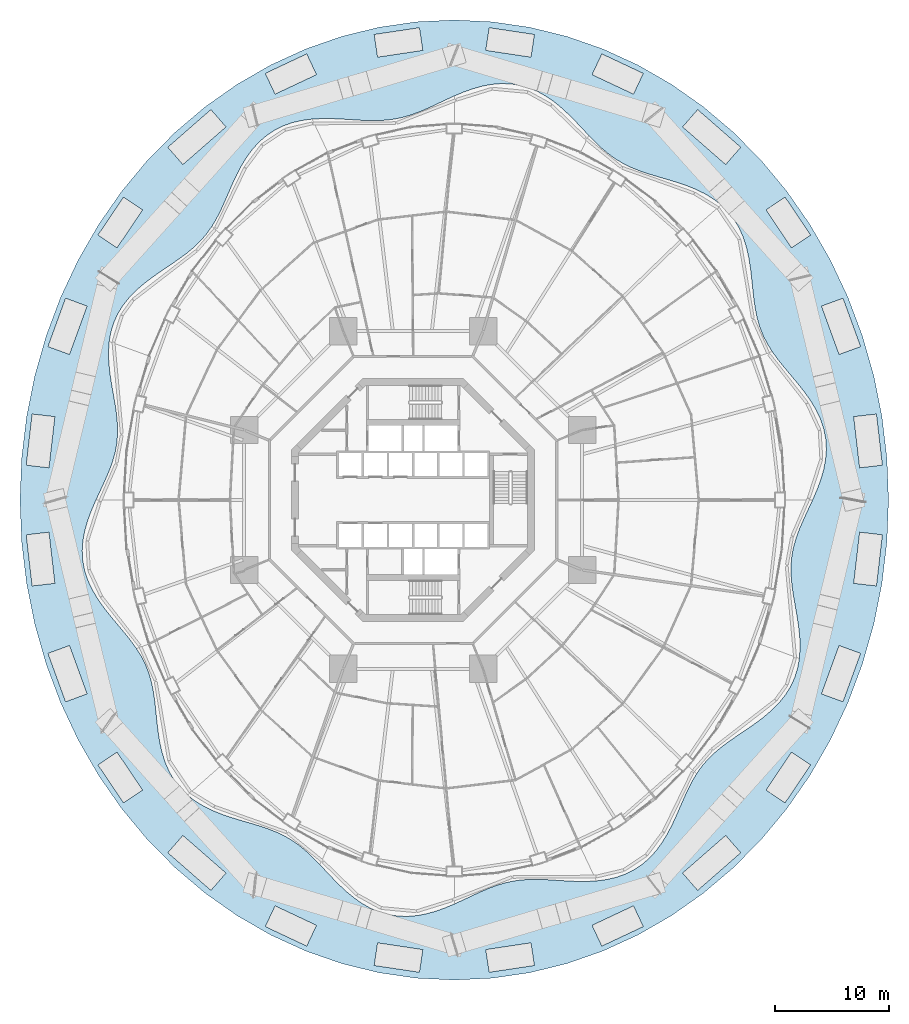
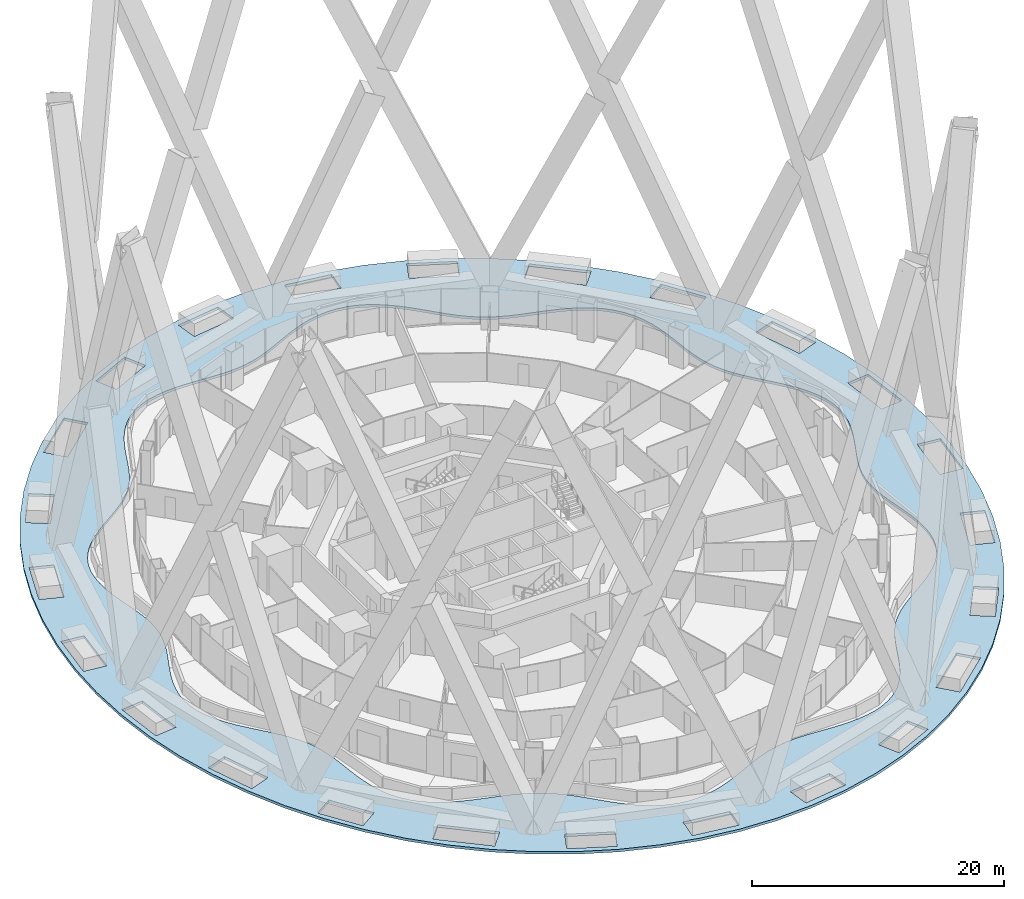
# One storey, part 32 of 42: 1 slab, 24 openings.
"""IFC4 building model written with IfcOpenShell, lengths in metres."""

from ifc_helpers import new_model, si_unit, direction, frame, origin, origin_2d, place, context, subcontext, project, spatial, polyline, rectangle, outline, extrude, material, layer, layer_set, type_object, element, save


model = new_model("IFC4")

# Units and contexts
model_context = context("Model", 3, precision=1e-05, world=origin(), true_north=direction((0.0, 1.0)))
body_context = subcontext(model_context, "Body", "Model", "MODEL_VIEW")
ifc_project = project(units=[si_unit("LENGTHUNIT", "METRE"), si_unit("AREAUNIT", "SQUARE_METRE"), si_unit("VOLUMEUNIT", "CUBIC_METRE"), si_unit("PLANEANGLEUNIT", "RADIAN"), si_unit("MASSUNIT", "GRAM", prefix="KILO")], contexts=[model_context])

# Site, building, storey
site_placement = place(None, origin())
site = spatial("IfcSite", under=ifc_project, at=site_placement, CompositionType="ELEMENT")
building_placement = place(site_placement, origin())
building = spatial("IfcBuilding", under=site, at=building_placement, Name="Nagisa Residences", CompositionType="ELEMENT")
storey_placement = place(building_placement, frame((0.0, 0.0, 27.0)))
storey = spatial("IfcBuildingStorey", under=building, at=storey_placement, Name="L05", CompositionType="ELEMENT", Elevation=27.0)

# Slab, openings
ifc_material = material(Name="Concrete C40/50", Category="concrete")
ifc_layer = layer(ifc_material, 0.25)
ifc_layer_set = layer_set([ifc_layer], Name="ATRIUM RING ROOF 250")
slab_type = type_object("IfcSlabType", Name="ATRIUM RING ROOF 250", PredefinedType="ROOF", material=ifc_layer_set)
slab_placement = place(storey_placement, frame((0.0, 0.0, -0.25)))
slab = element("IfcSlab", 1, at=slab_placement, inside=storey, type_object=slab_type, Name="slab:L05:ringroof", PredefinedType="ROOF", context=body_context, shape_type="SweptSolid", body=[
    extrude(outline(polyline([(41.455322265625, -3.66064453125), (41.022705078125, -7.293212890625), (40.30517578125, -10.870361328125), (39.308349609375, -14.36474609375), (38.039794921875, -17.75), (36.509033203125, -21.0), (34.727783203125, -24.09033203125), (32.709716796875, -26.9970703125), (30.469970703125, -29.698486328125), (28.02587890625, -32.173828125), (25.39599609375, -34.404296875), (22.60009765625, -36.373046875), (19.659423828125, -38.06494140625), (16.5966796875, -39.467041015625), (13.43505859375, -40.56884765625), (10.19873046875, -41.36181640625), (6.911865234375, -41.840087890625), (3.60009765625, -42.0), (0.2880859375, -41.840087890625), (-2.99853515625, -41.36181640625), (-6.235107421875, -40.56884765625), (-9.396728515625, -39.467041015625), (-12.45947265625, -38.06494140625), (-15.39990234375, -36.373046875), (-18.19580078125, -34.404296875), (-20.825927734375, -32.173828125), (-23.27001953125, -29.698486328125), (-25.509765625, -26.9970703125), (-27.52783203125, -24.09033203125), (-29.30908203125, -21.0), (-30.839599609375, -17.75), (-32.1083984375, -14.36474609375), (-33.105224609375, -10.870361328125), (-33.82275390625, -7.293212890625), (-34.25537109375, -3.66064453125), (-34.39990234375, 0.0), (-34.25537109375, 3.66064453125), (-33.82275390625, 7.293212890625), (-33.105224609375, 10.870361328125), (-32.1083984375, 14.36474609375), (-30.839599609375, 17.75), (-29.30908203125, 21.0), (-27.52783203125, 24.09033203125), (-25.509765625, 26.9970703125), (-23.27001953125, 29.698486328125), (-20.825927734375, 32.173828125), (-18.19580078125, 34.404296875), (-15.39990234375, 36.373046875), (-12.45947265625, 38.06494140625), (-9.396728515625, 39.467041015625), (-6.235107421875, 40.56884765625), (-2.99853515625, 41.36181640625), (0.2880859375, 41.840087890625), (3.60009765625, 42.0), (6.911865234375, 41.840087890625), (10.19873046875, 41.36181640625), (13.43505859375, 40.56884765625), (16.5966796875, 39.467041015625), (19.659423828125, 38.06494140625), (22.60009765625, 36.373046875), (25.39599609375, 34.404296875), (28.02587890625, 32.173828125), (30.469970703125, 29.698486328125), (32.709716796875, 26.9970703125), (34.727783203125, 24.09033203125), (36.509033203125, 21.0), (38.039794921875, 17.75), (39.308349609375, 14.36474609375), (40.30517578125, 10.870361328125), (41.022705078125, 7.293212890625), (41.455322265625, 3.66064453125), (41.60009765625, 0.0), (41.455322265625, -3.66064453125)]), holes=[polyline([(3.60009765625, -35.35009765625), (4.373291015625, -34.99560546875), (5.127685546875, -34.638427734375), (5.865478515625, -34.2958984375), (6.591064453125, -33.984375), (7.309814453125, -33.716552734375), (8.028076171875, -33.50146484375), (8.75244140625, -33.34375), (9.489013671875, -33.243896484375), (10.2431640625, -33.197509765625), (11.018310546875, -33.1962890625), (11.81591796875, -33.228515625), (12.635498046875, -33.279541015625), (13.4736328125, -33.332275390625), (14.3251953125, -33.36962890625), (15.1826171875, -33.373779296875), (16.036865234375, -33.32861328125), (16.908447265625, -33.21484375), (17.75390625, -33.020263671875), (18.5615234375, -32.736328125), (19.32080078125, -32.359619140625), (20.024169921875, -31.890380859375), (20.666015625, -31.334228515625), (21.244384765625, -30.7001953125), (21.760498046875, -30.001220703125), (22.219482421875, -29.251953125), (22.6298828125, -28.4697265625), (23.002685546875, -27.67138671875), (23.351318359375, -26.87353515625), (23.69091796875, -26.091064453125), (24.03662109375, -25.336669921875), (24.40283203125, -24.619873046875), (24.802490234375, -23.946533203125), (25.26904296875, -23.28955078125), (25.79150390625, -22.68115234375), (26.373291015625, -22.1162109375), (27.012451171875, -21.5849609375), (27.701416015625, -21.076416015625), (28.4287109375, -20.576904296875), (29.177978515625, -20.072509765625), (29.929931640625, -19.55029296875), (30.6640625, -18.998291015625), (31.35888671875, -18.40673828125), (31.993896484375, -17.768798828125), (32.551025390625, -17.080810546875), (33.0166015625, -16.342529296875), (33.380615234375, -15.556884765625), (33.639404296875, -14.729248046875), (33.794921875, -13.866943359375), (33.854736328125, -12.951171875), (33.826904296875, -12.019287109375), (33.73046875, -11.082275390625), (33.588623046875, -10.149658203125), (33.427001953125, -9.2294921875), (33.27099609375, -8.32763671875), (33.144775390625, -7.447265625), (33.069580078125, -6.588623046875), (33.06201171875, -5.750244140625), (33.13232421875, -4.927978515625), (33.28466796875, -4.115966796875), (33.515869140625, -3.30810546875), (33.816162109375, -2.497802734375), (34.169921875, -1.678955078125), (34.555908203125, -0.847412109375), (34.949951171875, 0.0), (34.949951171875, 0.0), (35.32568359375, 0.864013671875), (35.65673828125, 1.742919921875), (35.918701171875, 2.63330078125), (36.090576171875, 3.52978515625), (36.15673828125, 4.425537109375), (36.10693359375, 5.313720703125), (35.938720703125, 6.18701171875), (35.65576171875, 7.038818359375), (35.2685546875, 7.864501953125), (34.793701171875, 8.66162109375), (34.252197265625, 9.429443359375), (33.668212890625, 10.170654296875), (33.06787109375, 10.89013671875), (32.475830078125, 11.594970703125), (31.915771484375, 12.294189453125), (31.40673828125, 12.997802734375), (30.975830078125, 13.69287109375), (30.614013671875, 14.40966796875), (30.3232421875, 15.155029296875), (30.099365234375, 15.93359375), (29.933349609375, 16.7470703125), (29.810791015625, 17.5947265625), (29.7138671875, 18.471923828125), (29.622314453125, 19.37060546875), (29.51513671875, 20.2802734375), (29.37109375, 21.1884765625), (29.171630859375, 22.08056640625), (28.900634765625, 22.942138671875), (28.546142578125, 23.758544921875), (28.1015625, 24.517578125), (27.565185546875, 25.20849609375), (26.940185546875, 25.824951171875), (26.26953125, 26.3408203125), (25.53662109375, 26.787841796875), (24.75439453125, 27.171142578125), (23.93798828125, 27.499267578125), (23.102783203125, 27.78369140625), (22.264404296875, 28.038818359375), (21.4365234375, 28.27978515625), (20.630859375, 28.52294921875), (19.8564453125, 28.7841796875), (19.119140625, 29.077392578125), (18.420654296875, 29.414306640625), (17.759765625, 29.803466796875), (17.131591796875, 30.2490234375), (16.529296875, 30.750732421875), (15.943115234375, 31.3037109375), (15.36279296875, 31.898681640625), (14.798583984375, 32.49951171875), (14.22021484375, 33.11181640625), (13.619384765625, 33.71875), (12.98974609375, 34.30224609375), (12.32666015625, 34.84423828125), (11.62841796875, 35.326904296875), (10.89501953125, 35.7353515625), (10.12939453125, 36.05712890625), (9.336181640625, 36.283203125), (8.52197265625, 36.408935546875), (7.69384765625, 36.434326171875), (6.859619140625, 36.36376953125), (6.027099609375, 36.2060546875), (5.202880859375, 35.9736328125), (4.392578125, 35.682373046875), (3.60009765625, 35.35009765625), (2.82666015625, 34.99560546875), (2.072265625, 34.638427734375), (1.33447265625, 34.2958984375), (0.60888671875, 33.984375), (-0.10986328125, 33.716552734375), (-0.828125, 33.50146484375), (-1.552490234375, 33.34375), (-2.2890625, 33.243896484375), (-3.043212890625, 33.197509765625), (-3.818359375, 33.1962890625), (-4.615966796875, 33.228515625), (-5.435302734375, 33.279541015625), (-6.273681640625, 33.332275390625), (-7.125244140625, 33.36962890625), (-7.982666015625, 33.373779296875), (-8.836669921875, 33.32861328125), (-9.70849609375, 33.21484375), (-10.553955078125, 33.020263671875), (-11.361328125, 32.736328125), (-12.120849609375, 32.359619140625), (-12.82421875, 31.890380859375), (-13.466064453125, 31.334228515625), (-14.04443359375, 30.7001953125), (-14.560546875, 30.001220703125), (-15.01953125, 29.251953125), (-15.4296875, 28.4697265625), (-15.802490234375, 27.67138671875), (-16.1513671875, 26.87353515625), (-16.490966796875, 26.091064453125), (-16.836669921875, 25.336669921875), (-17.202880859375, 24.619873046875), (-17.6025390625, 23.946533203125), (-18.069091796875, 23.28955078125), (-18.591552734375, 22.68115234375), (-19.17333984375, 22.1162109375), (-19.812255859375, 21.5849609375), (-20.50146484375, 21.076416015625), (-21.228515625, 20.576904296875), (-21.977783203125, 20.072509765625), (-22.72998046875, 19.55029296875), (-23.464111328125, 18.998291015625), (-24.158935546875, 18.40673828125), (-24.7939453125, 17.768798828125), (-25.35107421875, 17.080810546875), (-25.816650390625, 16.342529296875), (-26.1806640625, 15.556884765625), (-26.439453125, 14.729248046875), (-26.5947265625, 13.866943359375), (-26.65478515625, 12.951171875), (-26.626708984375, 12.019287109375), (-26.530517578125, 11.082275390625), (-26.388671875, 10.149658203125), (-26.22705078125, 9.2294921875), (-26.07080078125, 8.32763671875), (-25.94482421875, 7.447265625), (-25.86962890625, 6.588623046875), (-25.86181640625, 5.750244140625), (-25.932373046875, 4.927978515625), (-26.08447265625, 4.115966796875), (-26.31591796875, 3.30810546875), (-26.6162109375, 2.497802734375), (-26.969970703125, 1.678955078125), (-27.35595703125, 0.847412109375), (-27.75, 0.0), (-28.125732421875, -0.864013671875), (-28.45654296875, -1.742919921875), (-28.718505859375, -2.63330078125), (-28.890625, -3.52978515625), (-28.95654296875, -4.425537109375), (-28.906982421875, -5.313720703125), (-28.73876953125, -6.18701171875), (-28.455810546875, -7.038818359375), (-28.068603515625, -7.864501953125), (-27.59375, -8.66162109375), (-27.05224609375, -9.429443359375), (-26.46826171875, -10.170654296875), (-25.86767578125, -10.89013671875), (-25.27587890625, -11.594970703125), (-24.715576171875, -12.294189453125), (-24.206787109375, -12.997802734375), (-23.77587890625, -13.69287109375), (-23.4140625, -14.40966796875), (-23.123291015625, -15.155029296875), (-22.8994140625, -15.93359375), (-22.7333984375, -16.7470703125), (-22.610595703125, -17.5947265625), (-22.513671875, -18.471923828125), (-22.42236328125, -19.37060546875), (-22.31494140625, -20.2802734375), (-22.171142578125, -21.1884765625), (-21.9716796875, -22.08056640625), (-21.700439453125, -22.942138671875), (-21.34619140625, -23.758544921875), (-20.901611328125, -24.517578125), (-20.365234375, -25.20849609375), (-19.740234375, -25.824951171875), (-19.069580078125, -26.3408203125), (-18.33642578125, -26.787841796875), (-17.554443359375, -27.171142578125), (-16.73779296875, -27.499267578125), (-15.90283203125, -27.78369140625), (-15.064453125, -28.038818359375), (-14.236572265625, -28.27978515625), (-13.430908203125, -28.52294921875), (-12.656494140625, -28.7841796875), (-11.919189453125, -29.077392578125), (-11.220703125, -29.414306640625), (-10.5595703125, -29.803466796875), (-9.931640625, -30.2490234375), (-9.329345703125, -30.750732421875), (-8.7431640625, -31.3037109375), (-8.162841796875, -31.898681640625), (-7.598388671875, -32.49951171875), (-7.02001953125, -33.11181640625), (-6.41943359375, -33.71875), (-5.78955078125, -34.30224609375), (-5.126708984375, -34.84423828125), (-4.42822265625, -35.326904296875), (-3.695068359375, -35.7353515625), (-2.929443359375, -36.05712890625), (-2.13623046875, -36.283203125), (-1.322021484375, -36.408935546875), (-0.49365234375, -36.434326171875), (0.34033203125, -36.36376953125), (1.173095703125, -36.2060546875), (1.9970703125, -35.9736328125), (2.807373046875, -35.682373046875), (3.60009765625, -35.35009765625)]), polyline([(41.05419921875, 3.04931640625), (40.537109375, 7.519287109375), (38.55029296875, 7.28955078125), (39.0673828125, 2.8193359375), (41.05419921875, 3.04931640625)]), polyline([(39.1494140625, 13.421630859375), (37.610107421875, 17.650390625), (35.730712890625, 16.96630859375), (37.27001953125, 12.737548828125), (39.1494140625, 13.421630859375)]), polyline([(34.77294921875, 23.18310546875), (32.53662109375, 26.49951171875), (30.87841796875, 25.38134765625), (33.114501953125, 22.06494140625), (34.77294921875, 23.18310546875)]), polyline([(28.662109375, 30.86376953125), (24.895751953125, 34.15234375), (23.580322265625, 32.645751953125), (27.3466796875, 29.357177734375), (28.662109375, 30.86376953125)]), polyline([(20.131103515625, 37.323974609375), (16.5126953125, 39.029541015625), (15.659912109375, 37.22021484375), (19.2783203125, 35.514892578125), (20.131103515625, 37.323974609375)]), polyline([(10.607666015625, 40.728759765625), (6.65185546875, 41.3212890625), (6.35546875, 39.343505859375), (10.311279296875, 38.750732421875), (10.607666015625, 40.728759765625)]), polyline([(0.548095703125, 41.3212890625), (-3.40771484375, 40.728759765625), (-3.111328125, 38.750732421875), (0.844482421875, 39.343505859375), (0.548095703125, 41.3212890625)]), polyline([(-9.312744140625, 39.029541015625), (-12.930908203125, 37.323974609375), (-12.078369140625, 35.514892578125), (-8.4599609375, 37.22021484375), (-9.312744140625, 39.029541015625)]), polyline([(-17.69580078125, 34.15234375), (-21.462158203125, 30.86376953125), (-20.146728515625, 29.357177734375), (-16.38037109375, 32.645751953125), (-17.69580078125, 34.15234375)]), polyline([(-25.33642578125, 26.49951171875), (-27.572998046875, 23.18310546875), (-25.91455078125, 22.06494140625), (-23.67822265625, 25.38134765625), (-25.33642578125, 26.49951171875)]), polyline([(-30.41015625, 17.650390625), (-31.949462890625, 13.421630859375), (-30.070068359375, 12.737548828125), (-28.53076171875, 16.96630859375), (-30.41015625, 17.650390625)]), polyline([(-33.3369140625, 7.519287109375), (-33.854248046875, 3.04931640625), (-31.867431640625, 2.8193359375), (-31.35009765625, 7.28955078125), (-33.3369140625, 7.519287109375)]), polyline([(-33.854248046875, -3.04931640625), (-33.3369140625, -7.519287109375), (-31.35009765625, -7.28955078125), (-31.867431640625, -2.8193359375), (-33.854248046875, -3.04931640625)]), polyline([(-31.949462890625, -13.421630859375), (-30.41015625, -17.650390625), (-28.53076171875, -16.96630859375), (-30.070068359375, -12.737548828125), (-31.949462890625, -13.421630859375)]), polyline([(-27.572998046875, -23.18310546875), (-25.33642578125, -26.49951171875), (-23.67822265625, -25.38134765625), (-25.91455078125, -22.06494140625), (-27.572998046875, -23.18310546875)]), polyline([(-21.462158203125, -30.86376953125), (-17.69580078125, -34.15234375), (-16.38037109375, -32.645751953125), (-20.146728515625, -29.357177734375), (-21.462158203125, -30.86376953125)]), polyline([(-12.930908203125, -37.323974609375), (-9.312744140625, -39.029541015625), (-8.4599609375, -37.22021484375), (-12.078369140625, -35.514892578125), (-12.930908203125, -37.323974609375)]), polyline([(-3.40771484375, -40.728759765625), (0.548095703125, -41.3212890625), (0.844482421875, -39.343505859375), (-3.111328125, -38.750732421875), (-3.40771484375, -40.728759765625)]), polyline([(6.65185546875, -41.3212890625), (10.607666015625, -40.728759765625), (10.311279296875, -38.750732421875), (6.35546875, -39.343505859375), (6.65185546875, -41.3212890625)]), polyline([(16.5126953125, -39.029541015625), (20.131103515625, -37.323974609375), (19.2783203125, -35.514892578125), (15.659912109375, -37.22021484375), (16.5126953125, -39.029541015625)]), polyline([(24.895751953125, -34.15234375), (28.662109375, -30.86376953125), (27.3466796875, -29.357177734375), (23.580322265625, -32.645751953125), (24.895751953125, -34.15234375)]), polyline([(32.53662109375, -26.49951171875), (34.77294921875, -23.18310546875), (33.114501953125, -22.06494140625), (30.87841796875, -25.38134765625), (32.53662109375, -26.49951171875)]), polyline([(37.610107421875, -17.650390625), (39.1494140625, -13.421630859375), (37.27001953125, -12.737548828125), (35.730712890625, -16.96630859375), (37.610107421875, -17.650390625)]), polyline([(40.537109375, -7.519287109375), (41.05419921875, -3.04931640625), (39.0673828125, -2.8193359375), (38.55029296875, -7.28955078125), (40.537109375, -7.519287109375)])]), origin(), (0.0, 0.0, 1.0), 0.25),
])
opening_1_placement = place(slab_placement, frame((39.80224609375, 5.169189453125, 0.0), z_axis=(0.0, 0.0, 1.0), x_axis=(-0.11491981285, 0.993374771481, 0.0)))
element("IfcOpeningElement", 2, at=opening_1_placement, cuts=slab, Name="Opening SK-01", PredefinedType="OPENING", context=body_context, shape_type="SweptSolid", body=[
    extrude(rectangle(XDim=4.5, YDim=2.0, at=origin_2d()), frame((0.0, 0.0, -0.010009765625)), (0.0, 0.0, 1.0), 1.469970703125),
])
opening_2_placement = place(slab_placement, frame((37.440185546875, 15.19384765625, 0.0), z_axis=(0.0, 0.0, 1.0), x_axis=(-0.342052944578, 0.939680681458, 0.0)))
element("IfcOpeningElement", 3, at=opening_2_placement, cuts=slab, Name="Opening SK-02", PredefinedType="OPENING", context=body_context, shape_type="SweptSolid", body=[
    extrude(rectangle(XDim=4.5, YDim=2.0, at=origin_2d()), frame((0.0, 0.0, -0.010009765625)), (0.0, 0.0, 1.0), 1.469970703125),
])
opening_3_placement = place(slab_placement, frame((32.82568359375, 24.2822265625, 0.0), z_axis=(0.0, 0.0, 1.0), x_axis=(-0.559077142538, 0.829115642532, 0.0)))
element("IfcOpeningElement", 4, at=opening_3_placement, cuts=slab, Name="Opening SK-03", PredefinedType="OPENING", context=body_context, shape_type="SweptSolid", body=[
    extrude(rectangle(XDim=4.0, YDim=2.0, at=origin_2d()), frame((0.0, 0.0, -0.010009765625)), (0.0, 0.0, 1.0), 1.469970703125),
])
opening_4_placement = place(slab_placement, frame((26.12109375, 31.7548828125, 0.0), z_axis=(0.0, 0.0, 1.0), x_axis=(-0.753265007301, 0.657717134319, 0.0)))
element("IfcOpeningElement", 5, at=opening_4_placement, cuts=slab, Name="Opening SK-04", PredefinedType="OPENING", context=body_context, shape_type="SweptSolid", body=[
    extrude(rectangle(XDim=5.0, YDim=2.0, at=origin_2d()), frame((0.0, 0.0, -0.010009765625)), (0.0, 0.0, 1.0), 1.469970703125),
])
opening_5_placement = place(slab_placement, frame((17.8955078125, 37.272216796875, 0.0), z_axis=(0.0, 0.0, 1.0), x_axis=(-0.90455190755, 0.42636351456, 0.0)))
element("IfcOpeningElement", 6, at=opening_5_placement, cuts=slab, Name="Opening SK-05", PredefinedType="OPENING", context=body_context, shape_type="SweptSolid", body=[
    extrude(rectangle(XDim=4.0, YDim=2.0, at=origin_2d()), frame((0.0, 0.0, -0.010009765625)), (0.0, 0.0, 1.0), 1.469970703125),
])
opening_6_placement = place(slab_placement, frame((8.481689453125, 40.035888671875, 0.0), z_axis=(0.0, 0.0, 1.0), x_axis=(-0.988964207891, 0.148154633781, 0.0)))
element("IfcOpeningElement", 7, at=opening_6_placement, cuts=slab, Name="Opening SK-06", PredefinedType="OPENING", context=body_context, shape_type="SweptSolid", body=[
    extrude(rectangle(XDim=4.0, YDim=2.0, at=origin_2d()), frame((0.0, 0.0, -0.010009765625)), (0.0, 0.0, 1.0), 1.469970703125),
])
opening_7_placement = place(slab_placement, frame((-1.281494140625, 40.035888671875, 0.0), z_axis=(0.0, 0.0, 1.0), x_axis=(-0.988964207891, -0.148154633781, 0.0)))
element("IfcOpeningElement", 8, at=opening_7_placement, cuts=slab, Name="Opening SK-07", PredefinedType="OPENING", context=body_context, shape_type="SweptSolid", body=[
    extrude(rectangle(XDim=4.0, YDim=2.0, at=origin_2d()), frame((0.0, 0.0, -0.010009765625)), (0.0, 0.0, 1.0), 1.469970703125),
])
opening_8_placement = place(slab_placement, frame((-10.695556640625, 37.272216796875, 0.0), z_axis=(0.0, 0.0, 1.0), x_axis=(-0.90455190755, -0.42636351456, 0.0)))
element("IfcOpeningElement", 9, at=opening_8_placement, cuts=slab, Name="Opening SK-08", PredefinedType="OPENING", context=body_context, shape_type="SweptSolid", body=[
    extrude(rectangle(XDim=4.0, YDim=2.0, at=origin_2d()), frame((0.0, 0.0, -0.010009765625)), (0.0, 0.0, 1.0), 1.469970703125),
])
opening_9_placement = place(slab_placement, frame((-18.921142578125, 31.7548828125, 0.0), z_axis=(0.0, 0.0, 1.0), x_axis=(-0.753265007301, -0.657717134319, 0.0)))
element("IfcOpeningElement", 10, at=opening_9_placement, cuts=slab, Name="Opening SK-09", PredefinedType="OPENING", context=body_context, shape_type="SweptSolid", body=[
    extrude(rectangle(XDim=5.0, YDim=2.0, at=origin_2d()), frame((0.0, 0.0, -0.010009765625)), (0.0, 0.0, 1.0), 1.469970703125),
])
opening_10_placement = place(slab_placement, frame((-25.62548828125, 24.2822265625, 0.0), z_axis=(0.0, 0.0, 1.0), x_axis=(-0.559077142538, -0.829115642532, 0.0)))
element("IfcOpeningElement", 11, at=opening_10_placement, cuts=slab, Name="Opening SK-10", PredefinedType="OPENING", context=body_context, shape_type="SweptSolid", body=[
    extrude(rectangle(XDim=4.0, YDim=2.0, at=origin_2d()), frame((0.0, 0.0, -0.010009765625)), (0.0, 0.0, 1.0), 1.469970703125),
])
opening_11_placement = place(slab_placement, frame((-30.239990234375, 15.19384765625, 0.0), z_axis=(0.0, 0.0, 1.0), x_axis=(-0.342052944578, -0.939680681458, 0.0)))
element("IfcOpeningElement", 12, at=opening_11_placement, cuts=slab, Name="Opening SK-11", PredefinedType="OPENING", context=body_context, shape_type="SweptSolid", body=[
    extrude(rectangle(XDim=4.5, YDim=2.0, at=origin_2d()), frame((0.0, 0.0, -0.010009765625)), (0.0, 0.0, 1.0), 1.469970703125),
])
opening_12_placement = place(slab_placement, frame((-32.602294921875, 5.169189453125, 0.0), z_axis=(0.0, 0.0, 1.0), x_axis=(-0.11491981285, -0.993374771481, 0.0)))
element("IfcOpeningElement", 13, at=opening_12_placement, cuts=slab, Name="Opening SK-12", PredefinedType="OPENING", context=body_context, shape_type="SweptSolid", body=[
    extrude(rectangle(XDim=4.5, YDim=2.0, at=origin_2d()), frame((0.0, 0.0, -0.010009765625)), (0.0, 0.0, 1.0), 1.469970703125),
])
opening_13_placement = place(slab_placement, frame((-32.602294921875, -5.169189453125, 0.0), z_axis=(0.0, 0.0, 1.0), x_axis=(0.11491981285, -0.993374771481, 0.0)))
element("IfcOpeningElement", 14, at=opening_13_placement, cuts=slab, Name="Opening SK-13", PredefinedType="OPENING", context=body_context, shape_type="SweptSolid", body=[
    extrude(rectangle(XDim=4.5, YDim=2.0, at=origin_2d()), frame((0.0, 0.0, -0.010009765625)), (0.0, 0.0, 1.0), 1.469970703125),
])
opening_14_placement = place(slab_placement, frame((-30.239990234375, -15.19384765625, 0.0), z_axis=(0.0, 0.0, 1.0), x_axis=(0.342052944578, -0.939680681458, 0.0)))
element("IfcOpeningElement", 15, at=opening_14_placement, cuts=slab, Name="Opening SK-14", PredefinedType="OPENING", context=body_context, shape_type="SweptSolid", body=[
    extrude(rectangle(XDim=4.5, YDim=2.0, at=origin_2d()), frame((0.0, 0.0, -0.010009765625)), (0.0, 0.0, 1.0), 1.469970703125),
])
opening_15_placement = place(slab_placement, frame((-25.62548828125, -24.2822265625, 0.0), z_axis=(0.0, 0.0, 1.0), x_axis=(0.559077142538, -0.829115642532, 0.0)))
element("IfcOpeningElement", 16, at=opening_15_placement, cuts=slab, Name="Opening SK-15", PredefinedType="OPENING", context=body_context, shape_type="SweptSolid", body=[
    extrude(rectangle(XDim=4.0, YDim=2.0, at=origin_2d()), frame((0.0, 0.0, -0.010009765625)), (0.0, 0.0, 1.0), 1.469970703125),
])
opening_16_placement = place(slab_placement, frame((-18.921142578125, -31.7548828125, 0.0), z_axis=(0.0, 0.0, 1.0), x_axis=(0.753265007301, -0.657717134319, 0.0)))
element("IfcOpeningElement", 17, at=opening_16_placement, cuts=slab, Name="Opening SK-16", PredefinedType="OPENING", context=body_context, shape_type="SweptSolid", body=[
    extrude(rectangle(XDim=5.0, YDim=2.0, at=origin_2d()), frame((0.0, 0.0, -0.010009765625)), (0.0, 0.0, 1.0), 1.469970703125),
])
opening_17_placement = place(slab_placement, frame((-10.695556640625, -37.272216796875, 0.0), z_axis=(0.0, 0.0, 1.0), x_axis=(0.90455190755, -0.42636351456, 0.0)))
element("IfcOpeningElement", 18, at=opening_17_placement, cuts=slab, Name="Opening SK-17", PredefinedType="OPENING", context=body_context, shape_type="SweptSolid", body=[
    extrude(rectangle(XDim=4.0, YDim=2.0, at=origin_2d()), frame((0.0, 0.0, -0.010009765625)), (0.0, 0.0, 1.0), 1.469970703125),
])
opening_18_placement = place(slab_placement, frame((-1.281494140625, -40.035888671875, 0.0), z_axis=(0.0, 0.0, 1.0), x_axis=(0.988964207891, -0.148154633781, 0.0)))
element("IfcOpeningElement", 19, at=opening_18_placement, cuts=slab, Name="Opening SK-18", PredefinedType="OPENING", context=body_context, shape_type="SweptSolid", body=[
    extrude(rectangle(XDim=4.0, YDim=2.0, at=origin_2d()), frame((0.0, 0.0, -0.010009765625)), (0.0, 0.0, 1.0), 1.469970703125),
])
opening_19_placement = place(slab_placement, frame((8.481689453125, -40.035888671875, 0.0), z_axis=(0.0, 0.0, 1.0), x_axis=(0.988964207891, 0.148154633781, 0.0)))
element("IfcOpeningElement", 20, at=opening_19_placement, cuts=slab, Name="Opening SK-19", PredefinedType="OPENING", context=body_context, shape_type="SweptSolid", body=[
    extrude(rectangle(XDim=4.0, YDim=2.0, at=origin_2d()), frame((0.0, 0.0, -0.010009765625)), (0.0, 0.0, 1.0), 1.469970703125),
])
opening_20_placement = place(slab_placement, frame((17.8955078125, -37.272216796875, 0.0), z_axis=(0.0, 0.0, 1.0), x_axis=(0.90455190755, 0.42636351456, 0.0)))
element("IfcOpeningElement", 21, at=opening_20_placement, cuts=slab, Name="Opening SK-20", PredefinedType="OPENING", context=body_context, shape_type="SweptSolid", body=[
    extrude(rectangle(XDim=4.0, YDim=2.0, at=origin_2d()), frame((0.0, 0.0, -0.010009765625)), (0.0, 0.0, 1.0), 1.469970703125),
])
opening_21_placement = place(slab_placement, frame((26.12109375, -31.7548828125, 0.0), z_axis=(0.0, 0.0, 1.0), x_axis=(0.753265007301, 0.657717134319, 0.0)))
element("IfcOpeningElement", 22, at=opening_21_placement, cuts=slab, Name="Opening SK-21", PredefinedType="OPENING", context=body_context, shape_type="SweptSolid", body=[
    extrude(rectangle(XDim=5.0, YDim=2.0, at=origin_2d()), frame((0.0, 0.0, -0.010009765625)), (0.0, 0.0, 1.0), 1.469970703125),
])
opening_22_placement = place(slab_placement, frame((32.82568359375, -24.2822265625, 0.0), z_axis=(0.0, 0.0, 1.0), x_axis=(0.559077142538, 0.829115642532, 0.0)))
element("IfcOpeningElement", 23, at=opening_22_placement, cuts=slab, Name="Opening SK-22", PredefinedType="OPENING", context=body_context, shape_type="SweptSolid", body=[
    extrude(rectangle(XDim=4.0, YDim=2.0, at=origin_2d()), frame((0.0, 0.0, -0.010009765625)), (0.0, 0.0, 1.0), 1.469970703125),
])
opening_23_placement = place(slab_placement, frame((37.440185546875, -15.19384765625, 0.0), z_axis=(0.0, 0.0, 1.0), x_axis=(0.342052944578, 0.939680681458, 0.0)))
element("IfcOpeningElement", 24, at=opening_23_placement, cuts=slab, Name="Opening SK-23", PredefinedType="OPENING", context=body_context, shape_type="SweptSolid", body=[
    extrude(rectangle(XDim=4.5, YDim=2.0, at=origin_2d()), frame((0.0, 0.0, -0.010009765625)), (0.0, 0.0, 1.0), 1.469970703125),
])
opening_24_placement = place(slab_placement, frame((39.80224609375, -5.169189453125, 0.0), z_axis=(0.0, 0.0, 1.0), x_axis=(0.11491981285, 0.993374771481, 0.0)))
element("IfcOpeningElement", 25, at=opening_24_placement, cuts=slab, Name="Opening SK-24", PredefinedType="OPENING", context=body_context, shape_type="SweptSolid", body=[
    extrude(rectangle(XDim=4.5, YDim=2.0, at=origin_2d()), frame((0.0, 0.0, -0.010009765625)), (0.0, 0.0, 1.0), 1.469970703125),
])

save(model, "model.ifc")
